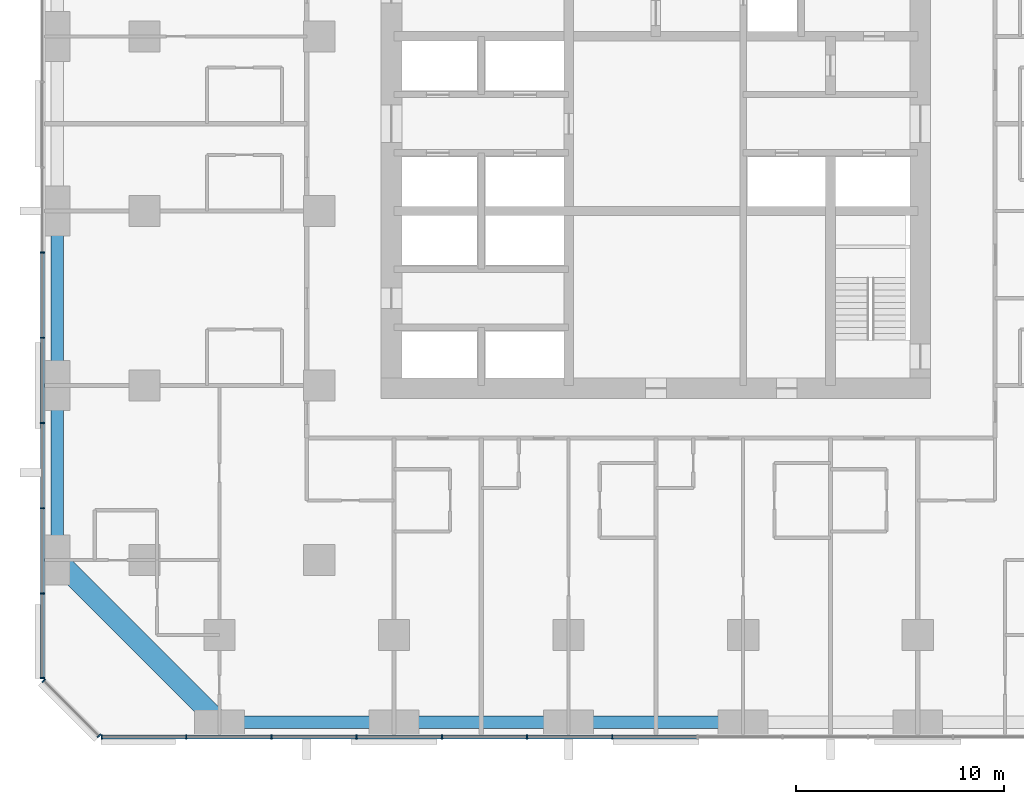
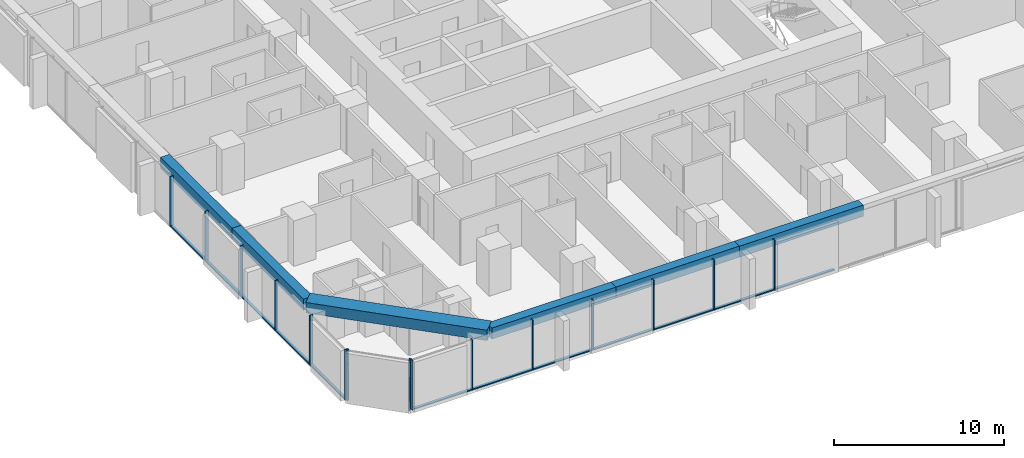
# One storey, part 2 of 14: 27 members, 6 beams, 3 elements without a shape of their own.
"""IFC4 building model written with IfcOpenShell, lengths in metres."""

from ifc_helpers import new_model, si_unit, direction, frame, origin, origin_2d, place, context, subcontext, project, spatial, rectangle, extrude, material, material_profile, profile_set, type_object, element, aggregate, save


model = new_model("IFC4")

# Units and contexts
model_context = context("Model", 3, precision=1e-05, world=origin(), true_north=direction((0.0, 1.0)))
body_context = subcontext(model_context, "Body", "Model", "MODEL_VIEW")
ifc_project = project(units=[si_unit("LENGTHUNIT", "METRE"), si_unit("AREAUNIT", "SQUARE_METRE"), si_unit("VOLUMEUNIT", "CUBIC_METRE"), si_unit("PLANEANGLEUNIT", "RADIAN"), si_unit("MASSUNIT", "GRAM", prefix="KILO")], contexts=[model_context])

# Site, building, storey
site_placement = place(None, origin())
site = spatial("IfcSite", under=ifc_project, at=site_placement, CompositionType="ELEMENT")
building_placement = place(site_placement, origin())
building = spatial("IfcBuilding", under=site, at=building_placement, Name="Dunama Terrace Hotel", CompositionType="ELEMENT")
storey_placement = place(building_placement, frame((0.0, 0.0, 133.199951171875)))
storey = spatial("IfcBuildingStorey", under=building, at=storey_placement, Name="L34", CompositionType="ELEMENT", Elevation=133.199951171875)

# Curtain wall, members
ifc_material_1 = material(Name="Aluminium curtain wall system", Category="aluminium")
curtain_wall_type = type_object("IfcCurtainWallType", Name="Unitised fritted glass wall CW-B", PredefinedType="NOTDEFINED", material=ifc_material_1)
curtain_wall_1_placement = place(storey_placement, origin())
curtain_wall_1 = element("IfcCurtainWall", 1, at=curtain_wall_1_placement, inside=storey, type_object=curtain_wall_type, Name="Unitised fritted glass wall CW-B L34", PredefinedType="NOTDEFINED")
ifc_material_2 = material(Name="Aluminium mullion", Category="aluminium")
ifc_material_profile_1 = material_profile(ifc_material_2, rectangle(XDim=0.06494140625, YDim=0.219970703125, at=origin_2d()), Name="CWB MULLION 65X220")
ifc_profile_set_1 = profile_set([ifc_material_profile_1], Name="Aluminium mullion")
member_type_1 = type_object("IfcMemberType", Name="CWB mullion 65x220", PredefinedType="MULLION", material=ifc_profile_set_1)
member_1_placement = place(storey_placement, frame((2.73291015625, -0.110107421875, 0.0), z_axis=(0.0, 0.0, 1.0), x_axis=(1.0, 0.0, 0.0)))
member_1 = element("IfcMember", 2, at=member_1_placement, type_object=member_type_1, Name="CWB mullion", PredefinedType="MULLION", context=body_context, shape_type="SweptSolid", body=[
    extrude(rectangle(XDim=0.06494140625, YDim=0.219970703125, at=origin_2d()), origin(), (0.0, 0.0, 1.0), 3.60009765625),
])
member_2_placement = place(storey_placement, frame((6.800048828125, -0.110107421875, 0.0), z_axis=(0.0, 0.0, 1.0), x_axis=(1.0, 0.0, 0.0)))
member_2 = element("IfcMember", 3, at=member_2_placement, type_object=member_type_1, Name="CWB mullion", PredefinedType="MULLION", context=body_context, shape_type="SweptSolid", body=[
    extrude(rectangle(XDim=0.06494140625, YDim=0.219970703125, at=origin_2d()), origin(), (0.0, 0.0, 1.0), 3.60009765625),
])
member_3_placement = place(storey_placement, frame((10.89990234375, -0.110107421875, 0.0), z_axis=(0.0, 0.0, 1.0), x_axis=(1.0, 0.0, 0.0)))
member_3 = element("IfcMember", 4, at=member_3_placement, type_object=member_type_1, Name="CWB mullion", PredefinedType="MULLION", context=body_context, shape_type="SweptSolid", body=[
    extrude(rectangle(XDim=0.06494140625, YDim=0.219970703125, at=origin_2d()), origin(), (0.0, 0.0, 1.0), 3.60009765625),
])
member_4_placement = place(storey_placement, frame((15.0, -0.110107421875, 0.0), z_axis=(0.0, 0.0, 1.0), x_axis=(1.0, 0.0, 0.0)))
member_4 = element("IfcMember", 5, at=member_4_placement, type_object=member_type_1, Name="CWB mullion", PredefinedType="MULLION", context=body_context, shape_type="SweptSolid", body=[
    extrude(rectangle(XDim=0.06494140625, YDim=0.219970703125, at=origin_2d()), origin(), (0.0, 0.0, 1.0), 3.60009765625),
])
member_5_placement = place(storey_placement, frame((19.10009765625, -0.110107421875, 0.0), z_axis=(0.0, 0.0, 1.0), x_axis=(1.0, 0.0, 0.0)))
member_5 = element("IfcMember", 6, at=member_5_placement, type_object=member_type_1, Name="CWB mullion", PredefinedType="MULLION", context=body_context, shape_type="SweptSolid", body=[
    extrude(rectangle(XDim=0.06494140625, YDim=0.219970703125, at=origin_2d()), origin(), (0.0, 0.0, 1.0), 3.60009765625),
])
member_6_placement = place(storey_placement, frame((23.199951171875, -0.110107421875, 0.0), z_axis=(0.0, 0.0, 1.0), x_axis=(1.0, 0.0, 0.0)))
member_6 = element("IfcMember", 7, at=member_6_placement, type_object=member_type_1, Name="CWB mullion", PredefinedType="MULLION", context=body_context, shape_type="SweptSolid", body=[
    extrude(rectangle(XDim=0.06494140625, YDim=0.219970703125, at=origin_2d()), origin(), (0.0, 0.0, 1.0), 3.60009765625),
])
member_7_placement = place(storey_placement, frame((27.300048828125, -0.110107421875, 0.0), z_axis=(0.0, 0.0, 1.0), x_axis=(1.0, 0.0, 0.0)))
member_7 = element("IfcMember", 8, at=member_7_placement, type_object=member_type_1, Name="CWB mullion", PredefinedType="MULLION", context=body_context, shape_type="SweptSolid", body=[
    extrude(rectangle(XDim=0.06494140625, YDim=0.219970703125, at=origin_2d()), origin(), (0.0, 0.0, 1.0), 3.60009765625),
])

curtain_wall_2_placement = place(storey_placement, origin())
curtain_wall_2 = element("IfcCurtainWall", 9, at=curtain_wall_2_placement, inside=storey, type_object=curtain_wall_type, Name="Unitised fritted glass wall CW-B L34", PredefinedType="NOTDEFINED")
member_8_placement = place(storey_placement, frame((-0.110107421875, 23.199951171875, 0.0), z_axis=(0.0, 0.0, 1.0), x_axis=(0.0, -1.0, 0.0)))
member_8 = element("IfcMember", 10, at=member_8_placement, type_object=member_type_1, Name="CWB mullion", PredefinedType="MULLION", context=body_context, shape_type="SweptSolid", body=[
    extrude(rectangle(XDim=0.06494140625, YDim=0.219970703125, at=origin_2d()), origin(), (0.0, 0.0, 1.0), 3.60009765625),
])
member_9_placement = place(storey_placement, frame((-0.110107421875, 19.10009765625, 0.0), z_axis=(0.0, 0.0, 1.0), x_axis=(0.0, -1.0, 0.0)))
member_9 = element("IfcMember", 11, at=member_9_placement, type_object=member_type_1, Name="CWB mullion", PredefinedType="MULLION", context=body_context, shape_type="SweptSolid", body=[
    extrude(rectangle(XDim=0.06494140625, YDim=0.219970703125, at=origin_2d()), origin(), (0.0, 0.0, 1.0), 3.60009765625),
])
member_10_placement = place(storey_placement, frame((-0.110107421875, 15.0, 0.0), z_axis=(0.0, 0.0, 1.0), x_axis=(0.0, -1.0, 0.0)))
member_10 = element("IfcMember", 12, at=member_10_placement, type_object=member_type_1, Name="CWB mullion", PredefinedType="MULLION", context=body_context, shape_type="SweptSolid", body=[
    extrude(rectangle(XDim=0.06494140625, YDim=0.219970703125, at=origin_2d()), origin(), (0.0, 0.0, 1.0), 3.60009765625),
])
member_11_placement = place(storey_placement, frame((-0.110107421875, 10.89990234375, 0.0), z_axis=(0.0, 0.0, 1.0), x_axis=(0.0, -1.0, 0.0)))
member_11 = element("IfcMember", 13, at=member_11_placement, type_object=member_type_1, Name="CWB mullion", PredefinedType="MULLION", context=body_context, shape_type="SweptSolid", body=[
    extrude(rectangle(XDim=0.06494140625, YDim=0.219970703125, at=origin_2d()), origin(), (0.0, 0.0, 1.0), 3.60009765625),
])
member_12_placement = place(storey_placement, frame((-0.110107421875, 6.800048828125, 0.0), z_axis=(0.0, 0.0, 1.0), x_axis=(0.0, -1.0, 0.0)))
member_12 = element("IfcMember", 14, at=member_12_placement, type_object=member_type_1, Name="CWB mullion", PredefinedType="MULLION", context=body_context, shape_type="SweptSolid", body=[
    extrude(rectangle(XDim=0.06494140625, YDim=0.219970703125, at=origin_2d()), origin(), (0.0, 0.0, 1.0), 3.60009765625),
])
member_13_placement = place(storey_placement, frame((-0.110107421875, 2.73291015625, 0.0), z_axis=(0.0, 0.0, 1.0), x_axis=(0.0, -1.0, 0.0)))
member_13 = element("IfcMember", 15, at=member_13_placement, type_object=member_type_1, Name="CWB mullion", PredefinedType="MULLION", context=body_context, shape_type="SweptSolid", body=[
    extrude(rectangle(XDim=0.06494140625, YDim=0.219970703125, at=origin_2d()), origin(), (0.0, 0.0, 1.0), 3.60009765625),
])

curtain_wall_3_placement = place(storey_placement, origin())
curtain_wall_3 = element("IfcCurtainWall", 16, at=curtain_wall_3_placement, inside=storey, type_object=curtain_wall_type, Name="Unitised fritted glass wall CW-B L34", PredefinedType="NOTDEFINED")
member_14_placement = place(storey_placement, frame((-0.054931640625, 2.59912109375, 0.0), z_axis=(0.0, 0.0, 1.0), x_axis=(0.707106781187, -0.707106781187, 0.0)))
member_14 = element("IfcMember", 17, at=member_14_placement, type_object=member_type_1, Name="CWB mullion", PredefinedType="MULLION", context=body_context, shape_type="SweptSolid", body=[
    extrude(rectangle(XDim=0.06494140625, YDim=0.219970703125, at=origin_2d()), origin(), (0.0, 0.0, 1.0), 3.60009765625),
])
member_15_placement = place(storey_placement, frame((2.59912109375, -0.054931640625, 0.0), z_axis=(0.0, 0.0, 1.0), x_axis=(0.707106781187, -0.707106781187, 0.0)))
member_15 = element("IfcMember", 18, at=member_15_placement, type_object=member_type_1, Name="CWB mullion", PredefinedType="MULLION", context=body_context, shape_type="SweptSolid", body=[
    extrude(rectangle(XDim=0.06494140625, YDim=0.219970703125, at=origin_2d()), origin(), (0.0, 0.0, 1.0), 3.60009765625),
])
aggregate(curtain_wall_3, [member_14, member_15])

# Member
ifc_material_3 = material(Name="Aluminium transom", Category="aluminium")
ifc_material_profile_2 = material_profile(ifc_material_3, rectangle(XDim=0.179931640625, YDim=0.080078125, at=origin_2d()), Name="CWB TRANSOM 180X80")
ifc_profile_set_2 = profile_set([ifc_material_profile_2], Name="Aluminium transom")
member_type_2 = type_object("IfcMemberType", Name="CWB transom 180x80", PredefinedType="USERDEFINED", material=ifc_profile_set_2)
member_16_placement = place(storey_placement, frame((2.764892578125, -0.110107421875, 0.0400390625), z_axis=(1.0, 0.0, 0.0), x_axis=(0.0, 1.0, 0.0)))
member_16 = element("IfcMember", 19, at=member_16_placement, type_object=member_type_2, Name="CWB transom", ObjectType="TRANSOM", PredefinedType="USERDEFINED", context=body_context, shape_type="SweptSolid", body=[
    extrude(rectangle(XDim=0.179931640625, YDim=0.080078125, at=origin_2d()), origin(), (0.0, 0.0, 1.0), 4.003173828125),
])

member_17_placement = place(storey_placement, frame((6.83203125, -0.110107421875, 0.0400390625), z_axis=(1.0, 0.0, 0.0), x_axis=(0.0, 1.0, 0.0)))
member_17 = element("IfcMember", 20, at=member_17_placement, type_object=member_type_2, Name="CWB transom", ObjectType="TRANSOM", PredefinedType="USERDEFINED", context=body_context, shape_type="SweptSolid", body=[
    extrude(rectangle(XDim=0.179931640625, YDim=0.080078125, at=origin_2d()), origin(), (0.0, 0.0, 1.0), 4.034912109375),
])

member_18_placement = place(storey_placement, frame((10.93310546875, -0.110107421875, 0.0400390625), z_axis=(1.0, 0.0, 0.0), x_axis=(0.0, 1.0, 0.0)))
member_18 = element("IfcMember", 21, at=member_18_placement, type_object=member_type_2, Name="CWB transom", ObjectType="TRANSOM", PredefinedType="USERDEFINED", context=body_context, shape_type="SweptSolid", body=[
    extrude(rectangle(XDim=0.179931640625, YDim=0.080078125, at=origin_2d()), origin(), (0.0, 0.0, 1.0), 4.033935546875),
])

member_19_placement = place(storey_placement, frame((15.031982421875, -0.110107421875, 0.0400390625), z_axis=(1.0, 0.0, 0.0), x_axis=(0.0, 1.0, 0.0)))
member_19 = element("IfcMember", 22, at=member_19_placement, type_object=member_type_2, Name="CWB transom", ObjectType="TRANSOM", PredefinedType="USERDEFINED", context=body_context, shape_type="SweptSolid", body=[
    extrude(rectangle(XDim=0.179931640625, YDim=0.080078125, at=origin_2d()), origin(), (0.0, 0.0, 1.0), 4.034912109375),
])

member_20_placement = place(storey_placement, frame((19.132080078125, -0.110107421875, 0.0400390625), z_axis=(1.0, 0.0, 0.0), x_axis=(0.0, 1.0, 0.0)))
member_20 = element("IfcMember", 23, at=member_20_placement, type_object=member_type_2, Name="CWB transom", ObjectType="TRANSOM", PredefinedType="USERDEFINED", context=body_context, shape_type="SweptSolid", body=[
    extrude(rectangle(XDim=0.179931640625, YDim=0.080078125, at=origin_2d()), origin(), (0.0, 0.0, 1.0), 4.035888671875),
])

member_21_placement = place(storey_placement, frame((23.23193359375, -0.110107421875, 0.0400390625), z_axis=(1.0, 0.0, 0.0), x_axis=(0.0, 1.0, 0.0)))
member_21 = element("IfcMember", 24, at=member_21_placement, type_object=member_type_2, Name="CWB transom", ObjectType="TRANSOM", PredefinedType="USERDEFINED", context=body_context, shape_type="SweptSolid", body=[
    extrude(rectangle(XDim=0.179931640625, YDim=0.080078125, at=origin_2d()), origin(), (0.0, 0.0, 1.0), 4.03515625),
])

member_22_placement = place(storey_placement, frame((27.33203125, -0.110107421875, 0.0400390625), z_axis=(1.0, 0.0, 0.0), x_axis=(0.0, 1.0, 0.0)))
member_22 = element("IfcMember", 25, at=member_22_placement, type_object=member_type_2, Name="CWB transom", ObjectType="TRANSOM", PredefinedType="USERDEFINED", context=body_context, shape_type="SweptSolid", body=[
    extrude(rectangle(XDim=0.179931640625, YDim=0.080078125, at=origin_2d()), origin(), (0.0, 0.0, 1.0), 4.034912109375),
])

aggregate(curtain_wall_1, [member_1, member_2, member_3, member_4, member_5, member_6, member_7, member_16, member_17, member_18, member_19, member_20, member_21, member_22])

member_23_placement = place(storey_placement, frame((-0.110107421875, 23.16796875, 0.0400390625), z_axis=(0.0, -1.0, 0.0), x_axis=(1.0, 0.0, 0.0)))
member_23 = element("IfcMember", 26, at=member_23_placement, type_object=member_type_2, Name="CWB transom", ObjectType="TRANSOM", PredefinedType="USERDEFINED", context=body_context, shape_type="SweptSolid", body=[
    extrude(rectangle(XDim=0.179931640625, YDim=0.080078125, at=origin_2d()), origin(), (0.0, 0.0, 1.0), 4.034912109375),
])

member_24_placement = place(storey_placement, frame((-0.110107421875, 19.068115234375, 0.0400390625), z_axis=(0.0, -1.0, 0.0), x_axis=(1.0, 0.0, 0.0)))
member_24 = element("IfcMember", 27, at=member_24_placement, type_object=member_type_2, Name="CWB transom", ObjectType="TRANSOM", PredefinedType="USERDEFINED", context=body_context, shape_type="SweptSolid", body=[
    extrude(rectangle(XDim=0.179931640625, YDim=0.080078125, at=origin_2d()), origin(), (0.0, 0.0, 1.0), 4.0361328125),
])

member_25_placement = place(storey_placement, frame((-0.110107421875, 14.968017578125, 0.0400390625), z_axis=(0.0, -1.0, 0.0), x_axis=(1.0, 0.0, 0.0)))
member_25 = element("IfcMember", 28, at=member_25_placement, type_object=member_type_2, Name="CWB transom", ObjectType="TRANSOM", PredefinedType="USERDEFINED", context=body_context, shape_type="SweptSolid", body=[
    extrude(rectangle(XDim=0.179931640625, YDim=0.080078125, at=origin_2d()), origin(), (0.0, 0.0, 1.0), 4.0361328125),
])

member_26_placement = place(storey_placement, frame((-0.110107421875, 10.866943359375, 0.0400390625), z_axis=(0.0, -1.0, 0.0), x_axis=(1.0, 0.0, 0.0)))
member_26 = element("IfcMember", 29, at=member_26_placement, type_object=member_type_2, Name="CWB transom", ObjectType="TRANSOM", PredefinedType="USERDEFINED", context=body_context, shape_type="SweptSolid", body=[
    extrude(rectangle(XDim=0.179931640625, YDim=0.080078125, at=origin_2d()), origin(), (0.0, 0.0, 1.0), 4.033935546875),
])

member_27_placement = place(storey_placement, frame((-0.110107421875, 6.76806640625, 0.0400390625), z_axis=(0.0, -1.0, 0.0), x_axis=(1.0, 0.0, 0.0)))
member_27 = element("IfcMember", 30, at=member_27_placement, type_object=member_type_2, Name="CWB transom", ObjectType="TRANSOM", PredefinedType="USERDEFINED", context=body_context, shape_type="SweptSolid", body=[
    extrude(rectangle(XDim=0.179931640625, YDim=0.080078125, at=origin_2d()), origin(), (0.0, 0.0, 1.0), 4.003173828125),
])

aggregate(curtain_wall_2, [member_8, member_9, member_10, member_11, member_12, member_13, member_23, member_24, member_25, member_26, member_27])

# Beams
ifc_material_4 = material(Name="Concrete C50/60", Category="concrete")
ifc_material_profile_3 = material_profile(ifc_material_4, rectangle(XDim=1.0, YDim=0.75, at=origin_2d()), Name="RC 1000x750")
ifc_profile_set_3 = profile_set([ifc_material_profile_3], Name="Concrete C50/60")
beam_type_1 = type_object("IfcBeamType", Name="Edge beam RC 1000x750", PredefinedType="SPANDREL", material=ifc_profile_set_3)
beam_1_placement = place(storey_placement, frame((8.39990234375, 0.60009765625, 3.22509765625), z_axis=(-0.707106781187, 0.707106781187, 0.0), x_axis=(-0.707106781187, -0.707106781187, 0.0)))
element("IfcBeam", 31, at=beam_1_placement, inside=storey, type_object=beam_type_1, Name="Corner edge beam under L35", PredefinedType="SPANDREL", context=body_context, shape_type="SweptSolid", body=[
    extrude(rectangle(XDim=1.0, YDim=0.75, at=origin_2d()), origin(), (0.0, 0.0, 1.0), 11.030517578125),
])
ifc_material_5 = material(Name="Concrete C40/50", Category="concrete")
ifc_material_profile_4 = material_profile(ifc_material_5, rectangle(XDim=0.60009765625, YDim=0.800048828125, at=origin_2d()), Name="RC 600x800")
ifc_profile_set_4 = profile_set([ifc_material_profile_4], Name="Concrete C40/50")
beam_type_2 = type_object("IfcBeamType", Name="Edge beam RC 600x800", PredefinedType="SPANDREL", material=ifc_profile_set_4)
beam_2_placement = place(storey_placement, frame((0.60009765625, 8.39990234375, 3.199951171875), z_axis=(0.0, 1.0, 0.0), x_axis=(-1.0, 0.0, 0.0)))
element("IfcBeam", 32, at=beam_2_placement, inside=storey, type_object=beam_type_2, Name="Edge beam under L35", PredefinedType="SPANDREL", context=body_context, shape_type="SweptSolid", body=[
    extrude(rectangle(XDim=0.60009765625, YDim=0.800048828125, at=origin_2d()), origin(), (0.0, 0.0, 1.0), 8.400146484375),
])
beam_3_placement = place(storey_placement, frame((0.60009765625, 16.800048828125, 3.199951171875), z_axis=(0.0, 1.0, 0.0), x_axis=(-1.0, 0.0, 0.0)))
element("IfcBeam", 33, at=beam_3_placement, inside=storey, type_object=beam_type_2, Name="Edge beam under L35", PredefinedType="SPANDREL", context=body_context, shape_type="SweptSolid", body=[
    extrude(rectangle(XDim=0.60009765625, YDim=0.800048828125, at=origin_2d()), origin(), (0.0, 0.0, 1.0), 8.39990234375),
])
beam_4_placement = place(storey_placement, frame((8.39990234375, 0.60009765625, 3.199951171875), z_axis=(1.0, 0.0, 0.0), x_axis=(0.0, 1.0, 0.0)))
element("IfcBeam", 34, at=beam_4_placement, inside=storey, type_object=beam_type_2, Name="Edge beam under L35", PredefinedType="SPANDREL", context=body_context, shape_type="SweptSolid", body=[
    extrude(rectangle(XDim=0.60009765625, YDim=0.800048828125, at=origin_2d()), origin(), (0.0, 0.0, 1.0), 8.400146484375),
])
beam_5_placement = place(storey_placement, frame((16.800048828125, 0.60009765625, 3.199951171875), z_axis=(1.0, 0.0, 0.0), x_axis=(0.0, 1.0, 0.0)))
element("IfcBeam", 35, at=beam_5_placement, inside=storey, type_object=beam_type_2, Name="Edge beam under L35", PredefinedType="SPANDREL", context=body_context, shape_type="SweptSolid", body=[
    extrude(rectangle(XDim=0.60009765625, YDim=0.800048828125, at=origin_2d()), origin(), (0.0, 0.0, 1.0), 8.39990234375),
])
beam_6_placement = place(storey_placement, frame((25.199951171875, 0.60009765625, 3.199951171875), z_axis=(1.0, 0.0, 0.0), x_axis=(0.0, 1.0, 0.0)))
element("IfcBeam", 36, at=beam_6_placement, inside=storey, type_object=beam_type_2, Name="Edge beam under L35", PredefinedType="SPANDREL", context=body_context, shape_type="SweptSolid", body=[
    extrude(rectangle(XDim=0.60009765625, YDim=0.800048828125, at=origin_2d()), origin(), (0.0, 0.0, 1.0), 8.400146484375),
])

save(model, "model.ifc")
